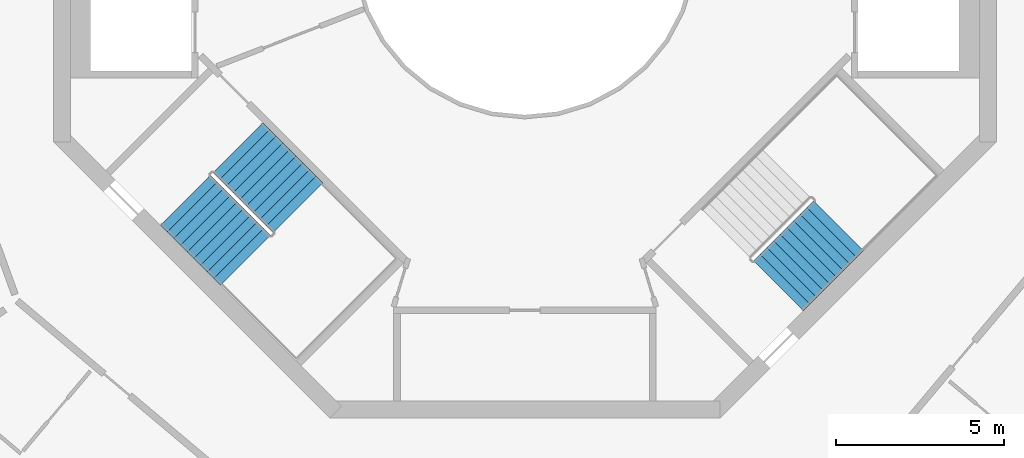
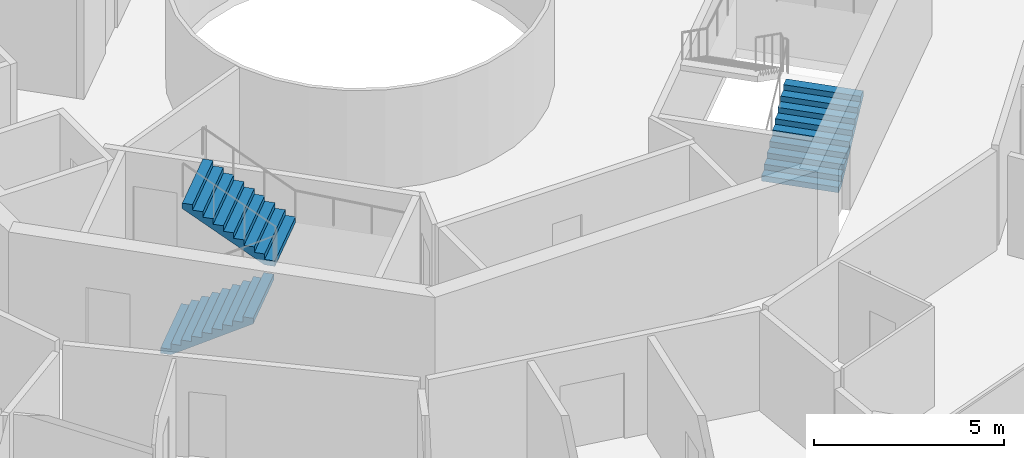
# One storey, part 20 of 22: 3 stair flights, 2 elements without a shape of their own.
"""IFC4 building model written with IfcOpenShell, lengths in metres."""

from ifc_helpers import new_model, si_unit, direction, frame, origin, place, context, subcontext, project, spatial, triangles, material, type_object, element, aggregate, save


model = new_model("IFC4")

# Units and contexts
model_context = context("Model", 3, precision=1e-05, world=origin(), true_north=direction((0.0, 1.0)))
body_context = subcontext(model_context, "Body", "Model", "MODEL_VIEW")
ifc_project = project(units=[si_unit("LENGTHUNIT", "METRE"), si_unit("AREAUNIT", "SQUARE_METRE"), si_unit("VOLUMEUNIT", "CUBIC_METRE"), si_unit("PLANEANGLEUNIT", "RADIAN"), si_unit("MASSUNIT", "GRAM", prefix="KILO")], contexts=[model_context])

# Site, building, storey
site_placement = place(None, origin())
site = spatial("IfcSite", under=ifc_project, at=site_placement, CompositionType="ELEMENT")
building_placement = place(site_placement, origin())
building = spatial("IfcBuilding", under=site, at=building_placement, Name="Verdalira Terraces Hotel", CompositionType="ELEMENT")
storey_placement = place(building_placement, frame((0.0, 0.0, 237.5)))
storey = spatial("IfcBuildingStorey", under=building, at=storey_placement, Name="L58", CompositionType="ELEMENT", Elevation=237.5)

# Stair, stair flights
ifc_material_1 = material(Name="Concrete C40", Category="concrete")
stair_type = type_object("IfcStairType", Name="Core stair 20 risers 2100 mm wide", PredefinedType="HALF_TURN_STAIR", material=ifc_material_1)
stair_1_placement = place(storey_placement, origin())
stair_1 = element("IfcStair", 1, at=stair_1_placement, inside=storey, type_object=stair_type, Name="L58 Exit stair ST2", PredefinedType="HALF_TURN_STAIR")
ifc_material_2 = material(Name="Concrete C40", Category="concrete")
stair_flight_type = type_object("IfcStairFlightType", Name="Core stair flight 20 risers 2100 mm wide", PredefinedType="STRAIGHT", material=ifc_material_2)
stair_flight_1_placement = place(storey_placement, frame((-10.076172, -7.530762, 0.0), z_axis=(0.0, 0.0, 1.0), x_axis=(0.707106781, -0.707106781, 0.0)))
stair_flight_1 = element("IfcStairFlight", 2, at=stair_flight_1_placement, type_object=stair_flight_type, Name="ST2 flight 1", NumberOfRisers=10, NumberOfTreads=9, PredefinedType="STRAIGHT", RiserHeight=0.175, TreadLength=0.28, context=body_context, shape_type="Tessellation", body=[
    triangles([(0.0, 1.050049, 0.0), (0.282715, 1.050049, 0.0), (2.52002, 1.050049, 1.398193), (0.0, -1.050049, 0.0), (0.282715, -1.050049, 0.0), (2.52002, -1.050049, 1.398193), (2.52002, 1.050049, 1.574951), (2.23999, 1.050049, 1.574951), (2.52002, -1.050049, 1.574951), (2.23999, -1.050049, 1.574951), (2.23999, 1.050049, 1.399902), (2.23999, -1.050049, 1.399902), (1.959961, 1.050049, 1.399902), (1.959961, -1.050049, 1.399902), (1.959961, 1.050049, 1.225098), (1.959961, -1.050049, 1.225098), (1.679932, 1.050049, 1.225098), (1.679932, 1.050049, 1.050049), (1.679932, -1.050049, 1.225098), (1.679932, -1.050049, 1.050049), (1.399902, 1.050049, 1.050049), (1.399902, 1.050049, 0.875), (1.399902, -1.050049, 1.050049), (1.399902, -1.050049, 0.875), (1.120117, 1.050049, 0.875), (1.120117, 1.050049, 0.699951), (1.120117, -1.050049, 0.875), (1.120117, -1.050049, 0.699951), (0.840088, 1.050049, 0.699951), (0.840088, 1.050049, 0.524902), (0.840088, -1.050049, 0.699951), (0.840088, -1.050049, 0.524902), (0.560059, 1.050049, 0.524902), (0.560059, 1.050049, 0.350098), (0.560059, -1.050049, 0.524902), (0.560059, -1.050049, 0.350098), (0.280029, 1.050049, 0.350098), (0.280029, 1.050049, 0.175049), (0.280029, -1.050049, 0.350098), (0.280029, -1.050049, 0.175049), (0.0, 1.050049, 0.175049), (0.0, -1.050049, 0.175049), (0.0, -0.984421, 0.0), (0.0, -0.984421, 0.175049), (0.0, -0.918793, 0.0), (0.0, -0.918793, 0.175049), (0.0, -0.853165, 0.0), (0.0, -0.853165, 0.175049), (0.0, -0.787537, 0.0), (0.0, -0.787537, 0.175049), (0.0, -0.721909, 0.0), (0.0, -0.721909, 0.175049), (0.0, -0.656281, 0.0), (0.0, -0.656281, 0.175049), (0.0, -0.590652, 0.0), (0.0, -0.590652, 0.175049), (0.0, -0.525024, 0.0), (0.0, -0.525024, 0.175049), (0.0, -0.459396, 0.0), (0.0, -0.459396, 0.175049), (0.0, -0.393768, 0.0), (0.0, -0.393768, 0.175049), (0.0, -0.32814, 0.0), (0.0, -0.32814, 0.175049), (0.0, -0.262512, 0.0), (0.0, -0.262512, 0.175049), (0.0, -0.196884, 0.0), (0.0, -0.196884, 0.175049), (0.0, -0.131256, 0.0), (0.0, -0.131256, 0.175049), (0.0, -0.065628, 0.0), (0.0, -0.065628, 0.175049), (0.0, 0.0, 0.0), (0.0, 0.0, 0.175049), (0.0, 0.065628, 0.0), (0.0, 0.065628, 0.175049), (0.0, 0.131256, 0.0), (0.0, 0.131256, 0.175049), (0.0, 0.196884, 0.0), (0.0, 0.196884, 0.175049), (0.0, 0.262512, 0.0), (0.0, 0.262512, 0.175049), (0.0, 0.32814, 0.0), (0.0, 0.32814, 0.175049), (0.0, 0.393768, 0.0), (0.0, 0.393768, 0.175049), (0.0, 0.459396, 0.0), (0.0, 0.459396, 0.175049), (0.0, 0.525024, 0.0), (0.0, 0.525024, 0.175049), (0.0, 0.590652, 0.0), (0.0, 0.590652, 0.175049), (0.0, 0.656281, 0.0), (0.0, 0.656281, 0.175049), (0.0, 0.721909, 0.0), (0.0, 0.721909, 0.175049), (0.0, 0.787537, 0.0), (0.0, 0.787537, 0.175049), (0.0, 0.853165, 0.0), (0.0, 0.853165, 0.175049), (0.0, 0.918793, 0.0), (0.0, 0.918793, 0.175049), (0.0, 0.984421, 0.0), (0.0, 0.984421, 0.175049), (2.52002, -0.984421, 1.574951), (2.52002, -0.918793, 1.574951), (2.52002, -0.853165, 1.574951), (2.52002, -0.787537, 1.574951), (2.52002, -0.721909, 1.574951), (2.52002, -0.656281, 1.574951), (2.52002, -0.590652, 1.574951), (2.52002, -0.525024, 1.574951), (2.52002, -0.459396, 1.574951), (2.52002, -0.393768, 1.574951), (2.52002, -0.32814, 1.574951), (2.52002, -0.262512, 1.574951), (2.52002, -0.196884, 1.574951), (2.52002, -0.131256, 1.574951), (2.52002, -0.065628, 1.574951), (2.52002, 0.0, 1.574951), (2.52002, 0.065628, 1.574951), (2.52002, 0.131256, 1.574951), (2.52002, 0.196884, 1.574951), (2.52002, 0.262512, 1.574951), (2.52002, 0.32814, 1.574951), (2.52002, 0.393768, 1.574951), (2.52002, 0.459396, 1.574951), (2.52002, 0.525024, 1.574951), (2.52002, 0.590652, 1.574951), (2.52002, 0.656281, 1.574951), (2.52002, 0.721909, 1.574951), (2.52002, 0.787537, 1.574951), (2.52002, 0.853165, 1.574951), (2.52002, 0.918793, 1.574951), (2.52002, 0.984421, 1.574951), (2.52002, -0.984421, 1.398193), (2.52002, -0.918793, 1.398193), (2.52002, -0.853165, 1.398193), (2.52002, -0.787537, 1.398193), (2.52002, -0.721909, 1.398193), (2.52002, -0.656281, 1.398193), (2.52002, -0.590652, 1.398193), (2.52002, -0.525024, 1.398193), (2.52002, -0.459396, 1.398193), (2.52002, -0.393768, 1.398193), (2.52002, -0.32814, 1.398193), (2.52002, -0.262512, 1.398193), (2.52002, -0.196884, 1.398193), (2.52002, -0.131256, 1.398193), (2.52002, -0.065628, 1.398193), (2.52002, 0.0, 1.398193), (2.52002, 0.065628, 1.398193), (2.52002, 0.131256, 1.398193), (2.52002, 0.196884, 1.398193), (2.52002, 0.262512, 1.398193), (2.52002, 0.32814, 1.398193), (2.52002, 0.393768, 1.398193), (2.52002, 0.459396, 1.398193), (2.52002, 0.525024, 1.398193), (2.52002, 0.590652, 1.398193), (2.52002, 0.656281, 1.398193), (2.52002, 0.721909, 1.398193), (2.52002, 0.787537, 1.398193), (2.52002, 0.853165, 1.398193), (2.52002, 0.918793, 1.398193), (2.52002, 0.984421, 1.398193)], [[1, 3, 2], [4, 5, 6], [3, 8, 7], [6, 9, 10], [3, 11, 8], [6, 10, 12], [3, 13, 11], [6, 12, 14], [3, 15, 13], [6, 14, 16], [15, 18, 17], [16, 19, 20], [3, 18, 15], [6, 16, 20], [18, 22, 21], [20, 23, 24], [3, 22, 18], [6, 20, 24], [22, 26, 25], [24, 27, 28], [3, 26, 22], [6, 24, 28], [26, 30, 29], [28, 31, 32], [3, 30, 26], [6, 28, 32], [1, 30, 3], [4, 6, 32], [30, 34, 33], [32, 35, 36], [34, 38, 37], [36, 39, 40], [30, 38, 34], [32, 36, 40], [1, 38, 30], [4, 32, 40], [38, 1, 41], [40, 42, 4], [4, 44, 43], [4, 42, 44], [43, 46, 45], [43, 44, 46], [45, 48, 47], [45, 46, 48], [47, 50, 49], [47, 48, 50], [49, 52, 51], [49, 50, 52], [51, 54, 53], [51, 52, 54], [53, 56, 55], [53, 54, 56], [55, 58, 57], [55, 56, 58], [57, 60, 59], [57, 58, 60], [59, 62, 61], [59, 60, 62], [61, 64, 63], [61, 62, 64], [63, 66, 65], [63, 64, 66], [65, 68, 67], [65, 66, 68], [67, 70, 69], [67, 68, 70], [69, 72, 71], [69, 70, 72], [71, 74, 73], [71, 72, 74], [73, 76, 75], [73, 74, 76], [75, 78, 77], [75, 76, 78], [77, 80, 79], [77, 78, 80], [79, 82, 81], [79, 80, 82], [81, 84, 83], [81, 82, 84], [83, 86, 85], [83, 84, 86], [85, 88, 87], [85, 86, 88], [87, 90, 89], [87, 88, 90], [89, 92, 91], [89, 90, 92], [91, 94, 93], [91, 92, 94], [93, 96, 95], [93, 94, 96], [95, 98, 97], [95, 96, 98], [97, 100, 99], [97, 98, 100], [99, 102, 101], [99, 100, 102], [101, 104, 103], [101, 102, 104], [103, 41, 1], [103, 104, 41], [42, 40, 44], [44, 40, 46], [46, 40, 48], [48, 40, 50], [50, 40, 52], [52, 40, 54], [54, 40, 56], [56, 40, 58], [58, 40, 60], [60, 40, 62], [62, 40, 64], [64, 40, 66], [66, 40, 68], [68, 40, 70], [70, 40, 72], [72, 40, 74], [74, 40, 76], [76, 40, 78], [78, 40, 80], [80, 40, 82], [82, 40, 84], [84, 40, 86], [86, 40, 88], [88, 40, 90], [90, 40, 92], [92, 40, 94], [94, 40, 96], [96, 40, 98], [98, 40, 100], [100, 40, 102], [102, 40, 104], [104, 40, 41], [41, 40, 38], [40, 37, 38], [40, 39, 37], [39, 34, 37], [39, 36, 34], [36, 33, 34], [36, 35, 33], [35, 30, 33], [35, 32, 30], [32, 29, 30], [32, 31, 29], [31, 26, 29], [31, 28, 26], [28, 25, 26], [28, 27, 25], [27, 22, 25], [27, 24, 22], [24, 21, 22], [24, 23, 21], [23, 18, 21], [23, 20, 18], [20, 17, 18], [20, 19, 17], [19, 15, 17], [19, 16, 15], [16, 13, 15], [16, 14, 13], [14, 11, 13], [14, 12, 11], [12, 8, 11], [12, 10, 8], [9, 105, 10], [105, 106, 10], [106, 107, 10], [107, 108, 10], [108, 109, 10], [109, 110, 10], [110, 111, 10], [111, 112, 10], [112, 113, 10], [113, 114, 10], [114, 115, 10], [115, 116, 10], [116, 117, 10], [117, 118, 10], [118, 119, 10], [119, 120, 10], [120, 121, 10], [121, 122, 10], [122, 123, 10], [123, 124, 10], [124, 125, 10], [125, 126, 10], [126, 127, 10], [127, 128, 10], [128, 129, 10], [129, 130, 10], [130, 131, 10], [131, 132, 10], [132, 133, 10], [133, 134, 10], [134, 135, 10], [135, 7, 10], [7, 8, 10], [9, 136, 105], [9, 6, 136], [105, 137, 106], [105, 136, 137], [106, 138, 107], [106, 137, 138], [107, 139, 108], [107, 138, 139], [108, 140, 109], [108, 139, 140], [109, 141, 110], [109, 140, 141], [110, 142, 111], [110, 141, 142], [111, 143, 112], [111, 142, 143], [112, 144, 113], [112, 143, 144], [113, 145, 114], [113, 144, 145], [114, 146, 115], [114, 145, 146], [115, 147, 116], [115, 146, 147], [116, 148, 117], [116, 147, 148], [117, 149, 118], [117, 148, 149], [118, 150, 119], [118, 149, 150], [119, 151, 120], [119, 150, 151], [120, 152, 121], [120, 151, 152], [121, 153, 122], [121, 152, 153], [122, 154, 123], [122, 153, 154], [123, 155, 124], [123, 154, 155], [124, 156, 125], [124, 155, 156], [125, 157, 126], [125, 156, 157], [126, 158, 127], [126, 157, 158], [127, 159, 128], [127, 158, 159], [128, 160, 129], [128, 159, 160], [129, 161, 130], [129, 160, 161], [130, 162, 131], [130, 161, 162], [131, 163, 132], [131, 162, 163], [132, 164, 133], [132, 163, 164], [133, 165, 134], [133, 164, 165], [134, 166, 135], [134, 165, 166], [135, 3, 7], [135, 166, 3], [6, 5, 136], [136, 5, 137], [137, 5, 138], [138, 5, 139], [139, 5, 140], [140, 5, 141], [141, 5, 142], [142, 5, 143], [143, 5, 144], [144, 5, 145], [145, 5, 146], [146, 5, 147], [147, 5, 148], [148, 5, 149], [149, 5, 150], [150, 5, 151], [151, 5, 152], [152, 5, 153], [153, 5, 154], [154, 5, 155], [155, 5, 156], [156, 5, 157], [157, 5, 158], [158, 5, 159], [159, 5, 160], [160, 5, 161], [161, 5, 162], [162, 5, 163], [163, 5, 164], [164, 5, 165], [165, 5, 166], [166, 5, 3], [3, 5, 2], [4, 43, 5], [43, 45, 5], [45, 47, 5], [47, 49, 5], [49, 51, 5], [51, 53, 5], [53, 55, 5], [55, 57, 5], [57, 59, 5], [59, 61, 5], [61, 63, 5], [63, 65, 5], [65, 67, 5], [67, 69, 5], [69, 71, 5], [71, 73, 5], [73, 75, 5], [75, 77, 5], [77, 79, 5], [79, 81, 5], [81, 83, 5], [83, 85, 5], [85, 87, 5], [87, 89, 5], [89, 91, 5], [91, 93, 5], [93, 95, 5], [95, 97, 5], [97, 99, 5], [99, 101, 5], [101, 103, 5], [103, 1, 5], [1, 2, 5]], closed=True),
])
stair_flight_2_placement = place(storey_placement, frame((-6.73877, -7.75708, 1.75), z_axis=(0.0, 0.0, 1.0), x_axis=(-0.707106781, 0.707106781, 0.0)))
stair_flight_2 = element("IfcStairFlight", 3, at=stair_flight_2_placement, type_object=stair_flight_type, Name="ST2 flight 2", NumberOfRisers=10, NumberOfTreads=9, PredefinedType="STRAIGHT", RiserHeight=0.175, TreadLength=0.28, context=body_context, shape_type="Tessellation", body=[
    triangles([(0.0, 1.050049, 0.0), (0.282715, 1.050049, 0.0), (2.52002, 1.050049, 1.398193), (0.0, -1.050049, 0.0), (0.282715, -1.050049, 0.0), (2.52002, -1.050049, 1.398193), (2.52002, 1.050049, 1.574951), (2.23999, 1.050049, 1.574951), (2.52002, -1.050049, 1.574951), (2.23999, -1.050049, 1.574951), (2.23999, 1.050049, 1.399902), (2.23999, -1.050049, 1.399902), (1.959961, 1.050049, 1.399902), (1.959961, -1.050049, 1.399902), (1.959961, 1.050049, 1.225098), (1.959961, -1.050049, 1.225098), (1.679932, 1.050049, 1.225098), (1.679932, 1.050049, 1.050049), (1.679932, -1.050049, 1.225098), (1.679932, -1.050049, 1.050049), (1.399902, 1.050049, 1.050049), (1.399902, 1.050049, 0.875), (1.399902, -1.050049, 1.050049), (1.399902, -1.050049, 0.875), (1.120117, 1.050049, 0.875), (1.120117, 1.050049, 0.699951), (1.120117, -1.050049, 0.875), (1.120117, -1.050049, 0.699951), (0.840088, 1.050049, 0.699951), (0.840088, 1.050049, 0.524902), (0.840088, -1.050049, 0.699951), (0.840088, -1.050049, 0.524902), (0.560059, 1.050049, 0.524902), (0.560059, 1.050049, 0.350098), (0.560059, -1.050049, 0.524902), (0.560059, -1.050049, 0.350098), (0.280029, 1.050049, 0.350098), (0.280029, 1.050049, 0.175049), (0.280029, -1.050049, 0.350098), (0.280029, -1.050049, 0.175049), (0.0, 1.050049, 0.175049), (0.0, -1.050049, 0.175049), (0.0, -0.984421, 0.0), (0.0, -0.984421, 0.175049), (0.0, -0.918793, 0.0), (0.0, -0.918793, 0.175049), (0.0, -0.853165, 0.0), (0.0, -0.853165, 0.175049), (0.0, -0.787537, 0.0), (0.0, -0.787537, 0.175049), (0.0, -0.721909, 0.0), (0.0, -0.721909, 0.175049), (0.0, -0.656281, 0.0), (0.0, -0.656281, 0.175049), (0.0, -0.590652, 0.0), (0.0, -0.590652, 0.175049), (0.0, -0.525024, 0.0), (0.0, -0.525024, 0.175049), (0.0, -0.459396, 0.0), (0.0, -0.459396, 0.175049), (0.0, -0.393768, 0.0), (0.0, -0.393768, 0.175049), (0.0, -0.32814, 0.0), (0.0, -0.32814, 0.175049), (0.0, -0.262512, 0.0), (0.0, -0.262512, 0.175049), (0.0, -0.196884, 0.0), (0.0, -0.196884, 0.175049), (0.0, -0.131256, 0.0), (0.0, -0.131256, 0.175049), (0.0, -0.065628, 0.0), (0.0, -0.065628, 0.175049), (0.0, 0.0, 0.0), (0.0, 0.0, 0.175049), (0.0, 0.065628, 0.0), (0.0, 0.065628, 0.175049), (0.0, 0.131256, 0.0), (0.0, 0.131256, 0.175049), (0.0, 0.196884, 0.0), (0.0, 0.196884, 0.175049), (0.0, 0.262512, 0.0), (0.0, 0.262512, 0.175049), (0.0, 0.32814, 0.0), (0.0, 0.32814, 0.175049), (0.0, 0.393768, 0.0), (0.0, 0.393768, 0.175049), (0.0, 0.459396, 0.0), (0.0, 0.459396, 0.175049), (0.0, 0.525024, 0.0), (0.0, 0.525024, 0.175049), (0.0, 0.590652, 0.0), (0.0, 0.590652, 0.175049), (0.0, 0.656281, 0.0), (0.0, 0.656281, 0.175049), (0.0, 0.721909, 0.0), (0.0, 0.721909, 0.175049), (0.0, 0.787537, 0.0), (0.0, 0.787537, 0.175049), (0.0, 0.853165, 0.0), (0.0, 0.853165, 0.175049), (0.0, 0.918793, 0.0), (0.0, 0.918793, 0.175049), (0.0, 0.984421, 0.0), (0.0, 0.984421, 0.175049), (2.52002, -0.984421, 1.574951), (2.52002, -0.918793, 1.574951), (2.52002, -0.853165, 1.574951), (2.52002, -0.787537, 1.574951), (2.52002, -0.721909, 1.574951), (2.52002, -0.656281, 1.574951), (2.52002, -0.590652, 1.574951), (2.52002, -0.525024, 1.574951), (2.52002, -0.459396, 1.574951), (2.52002, -0.393768, 1.574951), (2.52002, -0.32814, 1.574951), (2.52002, -0.262512, 1.574951), (2.52002, -0.196884, 1.574951), (2.52002, -0.131256, 1.574951), (2.52002, -0.065628, 1.574951), (2.52002, 0.0, 1.574951), (2.52002, 0.065628, 1.574951), (2.52002, 0.131256, 1.574951), (2.52002, 0.196884, 1.574951), (2.52002, 0.262512, 1.574951), (2.52002, 0.32814, 1.574951), (2.52002, 0.393768, 1.574951), (2.52002, 0.459396, 1.574951), (2.52002, 0.525024, 1.574951), (2.52002, 0.590652, 1.574951), (2.52002, 0.656281, 1.574951), (2.52002, 0.721909, 1.574951), (2.52002, 0.787537, 1.574951), (2.52002, 0.853165, 1.574951), (2.52002, 0.918793, 1.574951), (2.52002, 0.984421, 1.574951), (2.52002, -0.984421, 1.398193), (2.52002, -0.918793, 1.398193), (2.52002, -0.853165, 1.398193), (2.52002, -0.787537, 1.398193), (2.52002, -0.721909, 1.398193), (2.52002, -0.656281, 1.398193), (2.52002, -0.590652, 1.398193), (2.52002, -0.525024, 1.398193), (2.52002, -0.459396, 1.398193), (2.52002, -0.393768, 1.398193), (2.52002, -0.32814, 1.398193), (2.52002, -0.262512, 1.398193), (2.52002, -0.196884, 1.398193), (2.52002, -0.131256, 1.398193), (2.52002, -0.065628, 1.398193), (2.52002, 0.0, 1.398193), (2.52002, 0.065628, 1.398193), (2.52002, 0.131256, 1.398193), (2.52002, 0.196884, 1.398193), (2.52002, 0.262512, 1.398193), (2.52002, 0.32814, 1.398193), (2.52002, 0.393768, 1.398193), (2.52002, 0.459396, 1.398193), (2.52002, 0.525024, 1.398193), (2.52002, 0.590652, 1.398193), (2.52002, 0.656281, 1.398193), (2.52002, 0.721909, 1.398193), (2.52002, 0.787537, 1.398193), (2.52002, 0.853165, 1.398193), (2.52002, 0.918793, 1.398193), (2.52002, 0.984421, 1.398193)], [[1, 3, 2], [4, 5, 6], [3, 8, 7], [6, 9, 10], [3, 11, 8], [6, 10, 12], [3, 13, 11], [6, 12, 14], [3, 15, 13], [6, 14, 16], [15, 18, 17], [16, 19, 20], [3, 18, 15], [6, 16, 20], [18, 22, 21], [20, 23, 24], [3, 22, 18], [6, 20, 24], [22, 26, 25], [24, 27, 28], [3, 26, 22], [6, 24, 28], [26, 30, 29], [28, 31, 32], [3, 30, 26], [6, 28, 32], [1, 30, 3], [4, 6, 32], [30, 34, 33], [32, 35, 36], [34, 38, 37], [36, 39, 40], [30, 38, 34], [32, 36, 40], [1, 38, 30], [4, 32, 40], [38, 1, 41], [40, 42, 4], [4, 44, 43], [4, 42, 44], [43, 46, 45], [43, 44, 46], [45, 48, 47], [45, 46, 48], [47, 50, 49], [47, 48, 50], [49, 52, 51], [49, 50, 52], [51, 54, 53], [51, 52, 54], [53, 56, 55], [53, 54, 56], [55, 58, 57], [55, 56, 58], [57, 60, 59], [57, 58, 60], [59, 62, 61], [59, 60, 62], [61, 64, 63], [61, 62, 64], [63, 66, 65], [63, 64, 66], [65, 68, 67], [65, 66, 68], [67, 70, 69], [67, 68, 70], [69, 72, 71], [69, 70, 72], [71, 74, 73], [71, 72, 74], [73, 76, 75], [73, 74, 76], [75, 78, 77], [75, 76, 78], [77, 80, 79], [77, 78, 80], [79, 82, 81], [79, 80, 82], [81, 84, 83], [81, 82, 84], [83, 86, 85], [83, 84, 86], [85, 88, 87], [85, 86, 88], [87, 90, 89], [87, 88, 90], [89, 92, 91], [89, 90, 92], [91, 94, 93], [91, 92, 94], [93, 96, 95], [93, 94, 96], [95, 98, 97], [95, 96, 98], [97, 100, 99], [97, 98, 100], [99, 102, 101], [99, 100, 102], [101, 104, 103], [101, 102, 104], [103, 41, 1], [103, 104, 41], [42, 40, 44], [44, 40, 46], [46, 40, 48], [48, 40, 50], [50, 40, 52], [52, 40, 54], [54, 40, 56], [56, 40, 58], [58, 40, 60], [60, 40, 62], [62, 40, 64], [64, 40, 66], [66, 40, 68], [68, 40, 70], [70, 40, 72], [72, 40, 74], [74, 40, 76], [76, 40, 78], [78, 40, 80], [80, 40, 82], [82, 40, 84], [84, 40, 86], [86, 40, 88], [88, 40, 90], [90, 40, 92], [92, 40, 94], [94, 40, 96], [96, 40, 98], [98, 40, 100], [100, 40, 102], [102, 40, 104], [104, 40, 41], [41, 40, 38], [40, 37, 38], [40, 39, 37], [39, 34, 37], [39, 36, 34], [36, 33, 34], [36, 35, 33], [35, 30, 33], [35, 32, 30], [32, 29, 30], [32, 31, 29], [31, 26, 29], [31, 28, 26], [28, 25, 26], [28, 27, 25], [27, 22, 25], [27, 24, 22], [24, 21, 22], [24, 23, 21], [23, 18, 21], [23, 20, 18], [20, 17, 18], [20, 19, 17], [19, 15, 17], [19, 16, 15], [16, 13, 15], [16, 14, 13], [14, 11, 13], [14, 12, 11], [12, 8, 11], [12, 10, 8], [9, 105, 10], [105, 106, 10], [106, 107, 10], [107, 108, 10], [108, 109, 10], [109, 110, 10], [110, 111, 10], [111, 112, 10], [112, 113, 10], [113, 114, 10], [114, 115, 10], [115, 116, 10], [116, 117, 10], [117, 118, 10], [118, 119, 10], [119, 120, 10], [120, 121, 10], [121, 122, 10], [122, 123, 10], [123, 124, 10], [124, 125, 10], [125, 126, 10], [126, 127, 10], [127, 128, 10], [128, 129, 10], [129, 130, 10], [130, 131, 10], [131, 132, 10], [132, 133, 10], [133, 134, 10], [134, 135, 10], [135, 7, 10], [7, 8, 10], [9, 136, 105], [9, 6, 136], [105, 137, 106], [105, 136, 137], [106, 138, 107], [106, 137, 138], [107, 139, 108], [107, 138, 139], [108, 140, 109], [108, 139, 140], [109, 141, 110], [109, 140, 141], [110, 142, 111], [110, 141, 142], [111, 143, 112], [111, 142, 143], [112, 144, 113], [112, 143, 144], [113, 145, 114], [113, 144, 145], [114, 146, 115], [114, 145, 146], [115, 147, 116], [115, 146, 147], [116, 148, 117], [116, 147, 148], [117, 149, 118], [117, 148, 149], [118, 150, 119], [118, 149, 150], [119, 151, 120], [119, 150, 151], [120, 152, 121], [120, 151, 152], [121, 153, 122], [121, 152, 153], [122, 154, 123], [122, 153, 154], [123, 155, 124], [123, 154, 155], [124, 156, 125], [124, 155, 156], [125, 157, 126], [125, 156, 157], [126, 158, 127], [126, 157, 158], [127, 159, 128], [127, 158, 159], [128, 160, 129], [128, 159, 160], [129, 161, 130], [129, 160, 161], [130, 162, 131], [130, 161, 162], [131, 163, 132], [131, 162, 163], [132, 164, 133], [132, 163, 164], [133, 165, 134], [133, 164, 165], [134, 166, 135], [134, 165, 166], [135, 3, 7], [135, 166, 3], [6, 5, 136], [136, 5, 137], [137, 5, 138], [138, 5, 139], [139, 5, 140], [140, 5, 141], [141, 5, 142], [142, 5, 143], [143, 5, 144], [144, 5, 145], [145, 5, 146], [146, 5, 147], [147, 5, 148], [148, 5, 149], [149, 5, 150], [150, 5, 151], [151, 5, 152], [152, 5, 153], [153, 5, 154], [154, 5, 155], [155, 5, 156], [156, 5, 157], [157, 5, 158], [158, 5, 159], [159, 5, 160], [160, 5, 161], [161, 5, 162], [162, 5, 163], [163, 5, 164], [164, 5, 165], [165, 5, 166], [166, 5, 3], [3, 5, 2], [4, 43, 5], [43, 45, 5], [45, 47, 5], [47, 49, 5], [49, 51, 5], [51, 53, 5], [53, 55, 5], [55, 57, 5], [57, 59, 5], [59, 61, 5], [61, 63, 5], [63, 65, 5], [65, 67, 5], [67, 69, 5], [69, 71, 5], [71, 73, 5], [73, 75, 5], [75, 77, 5], [77, 79, 5], [79, 81, 5], [81, 83, 5], [83, 85, 5], [85, 87, 5], [87, 89, 5], [89, 91, 5], [91, 93, 5], [93, 95, 5], [95, 97, 5], [97, 99, 5], [99, 101, 5], [101, 103, 5], [103, 1, 5], [1, 2, 5]], closed=True),
])
aggregate(stair_1, [stair_flight_1, stair_flight_2])

# Stair, stair flight
stair_2_placement = place(storey_placement, origin())
stair_2 = element("IfcStair", 4, at=stair_2_placement, inside=storey, type_object=stair_type, Name="L58 Exit stair ST3", PredefinedType="HALF_TURN_STAIR")
stair_flight_3_placement = place(storey_placement, frame((7.530762, -10.076172, 0.0), z_axis=(0.0, 0.0, 1.0), x_axis=(0.707106781, 0.707106781, 0.0)))
stair_flight_3 = element("IfcStairFlight", 5, at=stair_flight_3_placement, type_object=stair_flight_type, Name="ST3 flight 1", NumberOfRisers=10, NumberOfTreads=9, PredefinedType="STRAIGHT", RiserHeight=0.175, TreadLength=0.28, context=body_context, shape_type="Tessellation", body=[
    triangles([(0.0, 1.050049, 0.0), (0.282715, 1.050049, 0.0), (2.52002, 1.050049, 1.398193), (0.0, -1.050049, 0.0), (0.282715, -1.050049, 0.0), (2.52002, -1.050049, 1.398193), (2.52002, 1.050049, 1.574951), (2.23999, 1.050049, 1.574951), (2.52002, -1.050049, 1.574951), (2.23999, -1.050049, 1.574951), (2.23999, 1.050049, 1.399902), (2.23999, -1.050049, 1.399902), (1.959961, 1.050049, 1.399902), (1.959961, -1.050049, 1.399902), (1.959961, 1.050049, 1.225098), (1.959961, -1.050049, 1.225098), (1.679932, 1.050049, 1.225098), (1.679932, 1.050049, 1.050049), (1.679932, -1.050049, 1.225098), (1.679932, -1.050049, 1.050049), (1.399902, 1.050049, 1.050049), (1.399902, 1.050049, 0.875), (1.399902, -1.050049, 1.050049), (1.399902, -1.050049, 0.875), (1.120117, 1.050049, 0.875), (1.120117, 1.050049, 0.699951), (1.120117, -1.050049, 0.875), (1.120117, -1.050049, 0.699951), (0.840088, 1.050049, 0.699951), (0.840088, 1.050049, 0.524902), (0.840088, -1.050049, 0.699951), (0.840088, -1.050049, 0.524902), (0.560059, 1.050049, 0.524902), (0.560059, 1.050049, 0.350098), (0.560059, -1.050049, 0.524902), (0.560059, -1.050049, 0.350098), (0.280029, 1.050049, 0.350098), (0.280029, 1.050049, 0.175049), (0.280029, -1.050049, 0.350098), (0.280029, -1.050049, 0.175049), (0.0, 1.050049, 0.175049), (0.0, -1.050049, 0.175049), (0.0, -0.984421, 0.0), (0.0, -0.984421, 0.175049), (0.0, -0.918793, 0.0), (0.0, -0.918793, 0.175049), (0.0, -0.853165, 0.0), (0.0, -0.853165, 0.175049), (0.0, -0.787537, 0.0), (0.0, -0.787537, 0.175049), (0.0, -0.721909, 0.0), (0.0, -0.721909, 0.175049), (0.0, -0.656281, 0.0), (0.0, -0.656281, 0.175049), (0.0, -0.590652, 0.0), (0.0, -0.590652, 0.175049), (0.0, -0.525024, 0.0), (0.0, -0.525024, 0.175049), (0.0, -0.459396, 0.0), (0.0, -0.459396, 0.175049), (0.0, -0.393768, 0.0), (0.0, -0.393768, 0.175049), (0.0, -0.32814, 0.0), (0.0, -0.32814, 0.175049), (0.0, -0.262512, 0.0), (0.0, -0.262512, 0.175049), (0.0, -0.196884, 0.0), (0.0, -0.196884, 0.175049), (0.0, -0.131256, 0.0), (0.0, -0.131256, 0.175049), (0.0, -0.065628, 0.0), (0.0, -0.065628, 0.175049), (0.0, 0.0, 0.0), (0.0, 0.0, 0.175049), (0.0, 0.065628, 0.0), (0.0, 0.065628, 0.175049), (0.0, 0.131256, 0.0), (0.0, 0.131256, 0.175049), (0.0, 0.196884, 0.0), (0.0, 0.196884, 0.175049), (0.0, 0.262512, 0.0), (0.0, 0.262512, 0.175049), (0.0, 0.32814, 0.0), (0.0, 0.32814, 0.175049), (0.0, 0.393768, 0.0), (0.0, 0.393768, 0.175049), (0.0, 0.459396, 0.0), (0.0, 0.459396, 0.175049), (0.0, 0.525024, 0.0), (0.0, 0.525024, 0.175049), (0.0, 0.590652, 0.0), (0.0, 0.590652, 0.175049), (0.0, 0.656281, 0.0), (0.0, 0.656281, 0.175049), (0.0, 0.721909, 0.0), (0.0, 0.721909, 0.175049), (0.0, 0.787537, 0.0), (0.0, 0.787537, 0.175049), (0.0, 0.853165, 0.0), (0.0, 0.853165, 0.175049), (0.0, 0.918793, 0.0), (0.0, 0.918793, 0.175049), (0.0, 0.984421, 0.0), (0.0, 0.984421, 0.175049), (2.52002, -0.984421, 1.574951), (2.52002, -0.918793, 1.574951), (2.52002, -0.853165, 1.574951), (2.52002, -0.787537, 1.574951), (2.52002, -0.721909, 1.574951), (2.52002, -0.656281, 1.574951), (2.52002, -0.590652, 1.574951), (2.52002, -0.525024, 1.574951), (2.52002, -0.459396, 1.574951), (2.52002, -0.393768, 1.574951), (2.52002, -0.32814, 1.574951), (2.52002, -0.262512, 1.574951), (2.52002, -0.196884, 1.574951), (2.52002, -0.131256, 1.574951), (2.52002, -0.065628, 1.574951), (2.52002, 0.0, 1.574951), (2.52002, 0.065628, 1.574951), (2.52002, 0.131256, 1.574951), (2.52002, 0.196884, 1.574951), (2.52002, 0.262512, 1.574951), (2.52002, 0.32814, 1.574951), (2.52002, 0.393768, 1.574951), (2.52002, 0.459396, 1.574951), (2.52002, 0.525024, 1.574951), (2.52002, 0.590652, 1.574951), (2.52002, 0.656281, 1.574951), (2.52002, 0.721909, 1.574951), (2.52002, 0.787537, 1.574951), (2.52002, 0.853165, 1.574951), (2.52002, 0.918793, 1.574951), (2.52002, 0.984421, 1.574951), (2.52002, -0.984421, 1.398193), (2.52002, -0.918793, 1.398193), (2.52002, -0.853165, 1.398193), (2.52002, -0.787537, 1.398193), (2.52002, -0.721909, 1.398193), (2.52002, -0.656281, 1.398193), (2.52002, -0.590652, 1.398193), (2.52002, -0.525024, 1.398193), (2.52002, -0.459396, 1.398193), (2.52002, -0.393768, 1.398193), (2.52002, -0.32814, 1.398193), (2.52002, -0.262512, 1.398193), (2.52002, -0.196884, 1.398193), (2.52002, -0.131256, 1.398193), (2.52002, -0.065628, 1.398193), (2.52002, 0.0, 1.398193), (2.52002, 0.065628, 1.398193), (2.52002, 0.131256, 1.398193), (2.52002, 0.196884, 1.398193), (2.52002, 0.262512, 1.398193), (2.52002, 0.32814, 1.398193), (2.52002, 0.393768, 1.398193), (2.52002, 0.459396, 1.398193), (2.52002, 0.525024, 1.398193), (2.52002, 0.590652, 1.398193), (2.52002, 0.656281, 1.398193), (2.52002, 0.721909, 1.398193), (2.52002, 0.787537, 1.398193), (2.52002, 0.853165, 1.398193), (2.52002, 0.918793, 1.398193), (2.52002, 0.984421, 1.398193)], [[1, 3, 2], [4, 5, 6], [3, 8, 7], [6, 9, 10], [3, 11, 8], [6, 10, 12], [3, 13, 11], [6, 12, 14], [3, 15, 13], [6, 14, 16], [15, 18, 17], [16, 19, 20], [3, 18, 15], [6, 16, 20], [18, 22, 21], [20, 23, 24], [3, 22, 18], [6, 20, 24], [22, 26, 25], [24, 27, 28], [3, 26, 22], [6, 24, 28], [26, 30, 29], [28, 31, 32], [3, 30, 26], [6, 28, 32], [1, 30, 3], [4, 6, 32], [30, 34, 33], [32, 35, 36], [34, 38, 37], [36, 39, 40], [30, 38, 34], [32, 36, 40], [1, 38, 30], [4, 32, 40], [38, 1, 41], [40, 42, 4], [4, 44, 43], [4, 42, 44], [43, 46, 45], [43, 44, 46], [45, 48, 47], [45, 46, 48], [47, 50, 49], [47, 48, 50], [49, 52, 51], [49, 50, 52], [51, 54, 53], [51, 52, 54], [53, 56, 55], [53, 54, 56], [55, 58, 57], [55, 56, 58], [57, 60, 59], [57, 58, 60], [59, 62, 61], [59, 60, 62], [61, 64, 63], [61, 62, 64], [63, 66, 65], [63, 64, 66], [65, 68, 67], [65, 66, 68], [67, 70, 69], [67, 68, 70], [69, 72, 71], [69, 70, 72], [71, 74, 73], [71, 72, 74], [73, 76, 75], [73, 74, 76], [75, 78, 77], [75, 76, 78], [77, 80, 79], [77, 78, 80], [79, 82, 81], [79, 80, 82], [81, 84, 83], [81, 82, 84], [83, 86, 85], [83, 84, 86], [85, 88, 87], [85, 86, 88], [87, 90, 89], [87, 88, 90], [89, 92, 91], [89, 90, 92], [91, 94, 93], [91, 92, 94], [93, 96, 95], [93, 94, 96], [95, 98, 97], [95, 96, 98], [97, 100, 99], [97, 98, 100], [99, 102, 101], [99, 100, 102], [101, 104, 103], [101, 102, 104], [103, 41, 1], [103, 104, 41], [42, 40, 44], [44, 40, 46], [46, 40, 48], [48, 40, 50], [50, 40, 52], [52, 40, 54], [54, 40, 56], [56, 40, 58], [58, 40, 60], [60, 40, 62], [62, 40, 64], [64, 40, 66], [66, 40, 68], [68, 40, 70], [70, 40, 72], [72, 40, 74], [74, 40, 76], [76, 40, 78], [78, 40, 80], [80, 40, 82], [82, 40, 84], [84, 40, 86], [86, 40, 88], [88, 40, 90], [90, 40, 92], [92, 40, 94], [94, 40, 96], [96, 40, 98], [98, 40, 100], [100, 40, 102], [102, 40, 104], [104, 40, 41], [41, 40, 38], [40, 37, 38], [40, 39, 37], [39, 34, 37], [39, 36, 34], [36, 33, 34], [36, 35, 33], [35, 30, 33], [35, 32, 30], [32, 29, 30], [32, 31, 29], [31, 26, 29], [31, 28, 26], [28, 25, 26], [28, 27, 25], [27, 22, 25], [27, 24, 22], [24, 21, 22], [24, 23, 21], [23, 18, 21], [23, 20, 18], [20, 17, 18], [20, 19, 17], [19, 15, 17], [19, 16, 15], [16, 13, 15], [16, 14, 13], [14, 11, 13], [14, 12, 11], [12, 8, 11], [12, 10, 8], [9, 105, 10], [105, 106, 10], [106, 107, 10], [107, 108, 10], [108, 109, 10], [109, 110, 10], [110, 111, 10], [111, 112, 10], [112, 113, 10], [113, 114, 10], [114, 115, 10], [115, 116, 10], [116, 117, 10], [117, 118, 10], [118, 119, 10], [119, 120, 10], [120, 121, 10], [121, 122, 10], [122, 123, 10], [123, 124, 10], [124, 125, 10], [125, 126, 10], [126, 127, 10], [127, 128, 10], [128, 129, 10], [129, 130, 10], [130, 131, 10], [131, 132, 10], [132, 133, 10], [133, 134, 10], [134, 135, 10], [135, 7, 10], [7, 8, 10], [9, 136, 105], [9, 6, 136], [105, 137, 106], [105, 136, 137], [106, 138, 107], [106, 137, 138], [107, 139, 108], [107, 138, 139], [108, 140, 109], [108, 139, 140], [109, 141, 110], [109, 140, 141], [110, 142, 111], [110, 141, 142], [111, 143, 112], [111, 142, 143], [112, 144, 113], [112, 143, 144], [113, 145, 114], [113, 144, 145], [114, 146, 115], [114, 145, 146], [115, 147, 116], [115, 146, 147], [116, 148, 117], [116, 147, 148], [117, 149, 118], [117, 148, 149], [118, 150, 119], [118, 149, 150], [119, 151, 120], [119, 150, 151], [120, 152, 121], [120, 151, 152], [121, 153, 122], [121, 152, 153], [122, 154, 123], [122, 153, 154], [123, 155, 124], [123, 154, 155], [124, 156, 125], [124, 155, 156], [125, 157, 126], [125, 156, 157], [126, 158, 127], [126, 157, 158], [127, 159, 128], [127, 158, 159], [128, 160, 129], [128, 159, 160], [129, 161, 130], [129, 160, 161], [130, 162, 131], [130, 161, 162], [131, 163, 132], [131, 162, 163], [132, 164, 133], [132, 163, 164], [133, 165, 134], [133, 164, 165], [134, 166, 135], [134, 165, 166], [135, 3, 7], [135, 166, 3], [6, 5, 136], [136, 5, 137], [137, 5, 138], [138, 5, 139], [139, 5, 140], [140, 5, 141], [141, 5, 142], [142, 5, 143], [143, 5, 144], [144, 5, 145], [145, 5, 146], [146, 5, 147], [147, 5, 148], [148, 5, 149], [149, 5, 150], [150, 5, 151], [151, 5, 152], [152, 5, 153], [153, 5, 154], [154, 5, 155], [155, 5, 156], [156, 5, 157], [157, 5, 158], [158, 5, 159], [159, 5, 160], [160, 5, 161], [161, 5, 162], [162, 5, 163], [163, 5, 164], [164, 5, 165], [165, 5, 166], [166, 5, 3], [3, 5, 2], [4, 43, 5], [43, 45, 5], [45, 47, 5], [47, 49, 5], [49, 51, 5], [51, 53, 5], [53, 55, 5], [55, 57, 5], [57, 59, 5], [59, 61, 5], [61, 63, 5], [63, 65, 5], [65, 67, 5], [67, 69, 5], [69, 71, 5], [71, 73, 5], [73, 75, 5], [75, 77, 5], [77, 79, 5], [79, 81, 5], [81, 83, 5], [83, 85, 5], [85, 87, 5], [87, 89, 5], [89, 91, 5], [91, 93, 5], [93, 95, 5], [95, 97, 5], [97, 99, 5], [99, 101, 5], [101, 103, 5], [103, 1, 5], [1, 2, 5]], closed=True),
])
aggregate(stair_2, [stair_flight_3])

save(model, "model.ifc")
